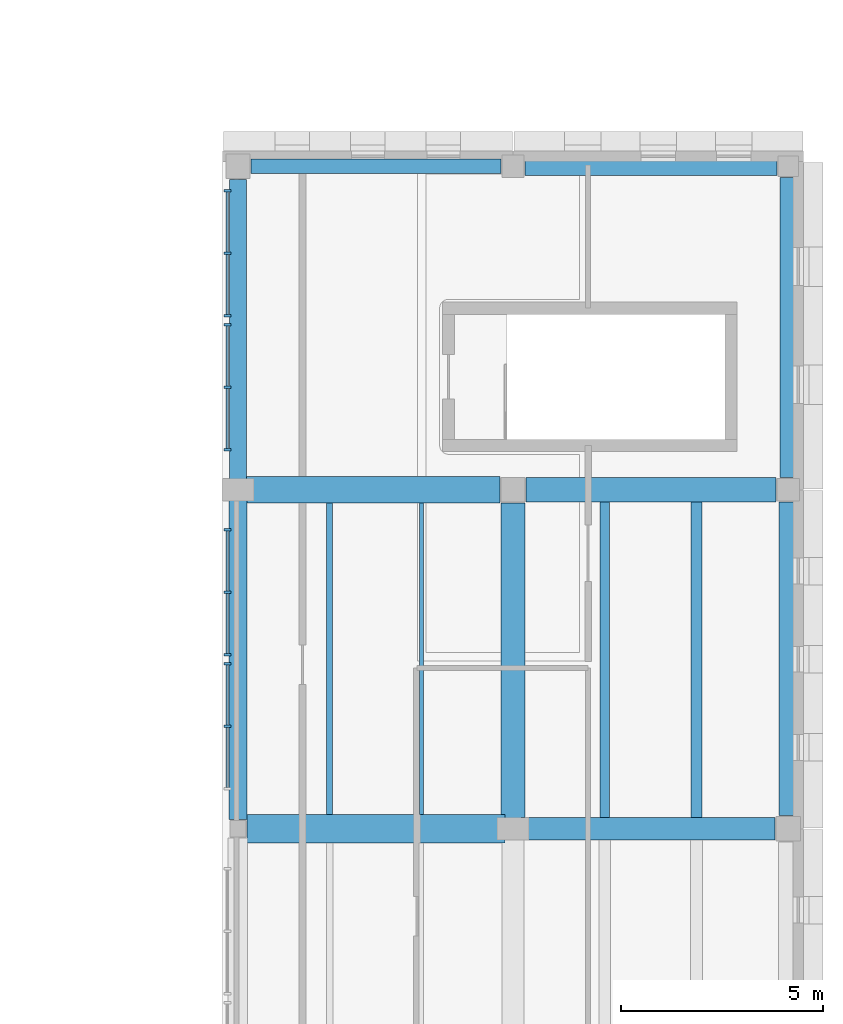
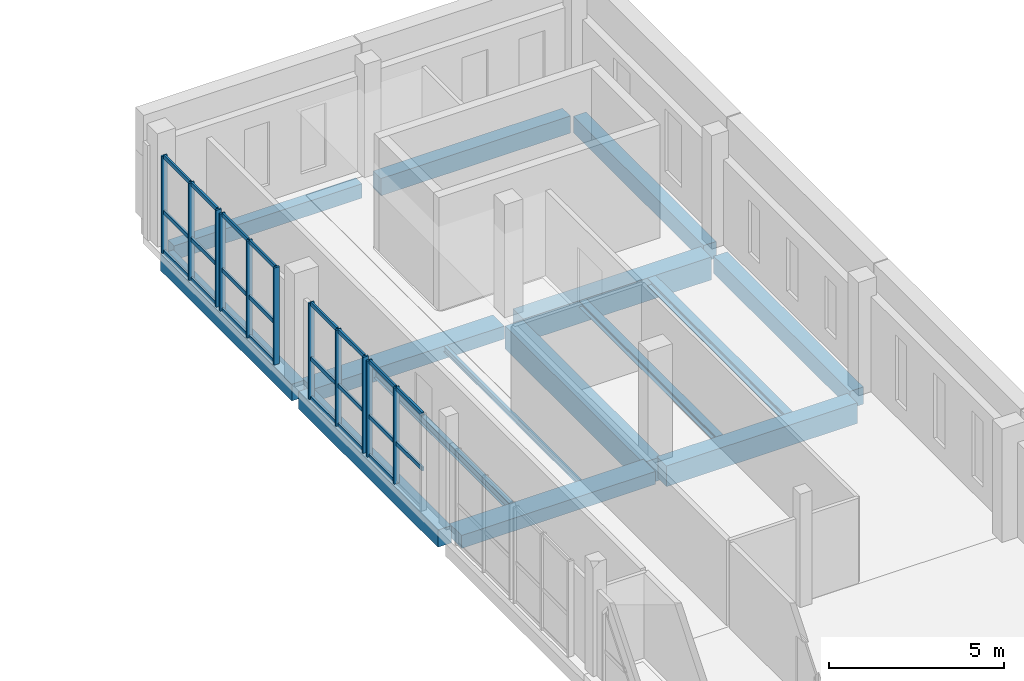
# One storey, part 26 of 56: 34 members, 15 beams, 4 elements without a shape of their own.
"""IFC4 building model written with IfcOpenShell, lengths in metres."""

from ifc_helpers import new_model, si_unit, direction, frame, origin, origin_2d, place, context, subcontext, project, spatial, rectangle, i_section, extrude, material, layer, layer_set, material_profile, profile_set, type_object, element, aggregate, save


model = new_model("IFC4")

# Units and contexts
model_context = context("Model", 3, precision=1e-05, world=origin(), true_north=direction((0.0, 1.0)))
body_context = subcontext(model_context, "Body", "Model", "MODEL_VIEW")
ifc_project = project(units=[si_unit("LENGTHUNIT", "METRE"), si_unit("AREAUNIT", "SQUARE_METRE"), si_unit("VOLUMEUNIT", "CUBIC_METRE"), si_unit("PLANEANGLEUNIT", "RADIAN"), si_unit("MASSUNIT", "GRAM", prefix="KILO")], contexts=[model_context])

# Site, building, storey
site_placement = place(None, origin())
site = spatial("IfcSite", under=ifc_project, at=site_placement, CompositionType="ELEMENT")
building_placement = place(site_placement, origin())
building = spatial("IfcBuilding", under=site, at=building_placement, Name="Vardoun Plaza Health Centre", CompositionType="ELEMENT")
storey_placement = place(building_placement, frame((0.0, 0.0, 8.699951171875)))
storey = spatial("IfcBuildingStorey", under=building, at=storey_placement, Name="L02", CompositionType="ELEMENT", Elevation=8.699951171875)

# Beams
ifc_material_1 = material(Name="Concrete C35/45", Category="concrete")
ifc_material_profile_1 = material_profile(ifc_material_1, rectangle(XDim=0.35009765625, YDim=0.5, at=origin_2d()), Name="RC-BM 350x500")
ifc_profile_set_1 = profile_set([ifc_material_profile_1], Name="Concrete C35/45")
beam_type_1 = type_object("IfcBeamType", Name="B-08", PredefinedType="SPANDREL", material=ifc_profile_set_1)
beam_1_placement = place(storey_placement, frame((151.60498046875, 86.320068359375, -0.5), z_axis=(1.0, 0.0, 0.0), x_axis=(0.0, 1.0, 0.0)))
element("IfcBeam", 1, at=beam_1_placement, inside=storey, type_object=beam_type_1, Name="V6 L02 Beam B-V6-L02-X07", PredefinedType="SPANDREL", context=body_context, shape_type="SweptSolid", body=[
    extrude(rectangle(XDim=0.35009765625, YDim=0.5, at=origin_2d()), origin(), (0.0, 0.0, 1.0), 6.195068359375),
])
ifc_material_2 = material(Name="Concrete C35/45", Category="concrete")
ifc_material_profile_2 = material_profile(ifc_material_2, rectangle(XDim=0.419921875, YDim=0.580078125, at=origin_2d()), Name="RC-BM 420x580")
ifc_profile_set_2 = profile_set([ifc_material_profile_2], Name="Concrete C35/45")
beam_type_2 = type_object("IfcBeamType", Name="B-10", PredefinedType="SPANDREL", material=ifc_profile_set_2)
beam_2_placement = place(storey_placement, frame((151.280029296875, 78.5, -0.5400390625), z_axis=(0.0, 1.0, 0.0), x_axis=(-1.0, 0.0, 0.0)))
element("IfcBeam", 2, at=beam_2_placement, inside=storey, type_object=beam_type_2, Name="V6 L02 Beam B-V6-L02-Y20", PredefinedType="SPANDREL", context=body_context, shape_type="SweptSolid", body=[
    extrude(rectangle(XDim=0.419921875, YDim=0.580078125, at=origin_2d()), origin(), (0.0, 0.0, 1.0), 7.4951171875),
])
beam_3_placement = place(storey_placement, frame((164.919921875, 78.60009765625, -0.5400390625), z_axis=(0.0, 1.0, 0.0), x_axis=(-1.0, 0.0, 0.0)))
element("IfcBeam", 3, at=beam_3_placement, inside=storey, type_object=beam_type_2, Name="V6 L02 Beam B-V6-L02-Y30", PredefinedType="SPANDREL", context=body_context, shape_type="SweptSolid", body=[
    extrude(rectangle(XDim=0.419921875, YDim=0.580078125, at=origin_2d()), origin(), (0.0, 0.0, 1.0), 7.44482421875),
])
ifc_material_3 = material(Name="Concrete C35/45", Category="concrete")
ifc_material_profile_3 = material_profile(ifc_material_3, rectangle(XDim=0.449951171875, YDim=0.60009765625, at=origin_2d()), Name="RC-BM 450x600")
ifc_profile_set_3 = profile_set([ifc_material_profile_3], Name="Concrete C35/45")
beam_type_3 = type_object("IfcBeamType", Name="B-11", PredefinedType="SPANDREL", material=ifc_profile_set_3)
beam_4_placement = place(storey_placement, frame((158.39990234375, 86.320068359375, -0.550048828125), z_axis=(1.0, 0.0, 0.0), x_axis=(0.0, 1.0, 0.0)))
element("IfcBeam", 4, at=beam_4_placement, inside=storey, type_object=beam_type_3, Name="V6 L02 Beam B-V6-L02-X14", PredefinedType="SPANDREL", context=body_context, shape_type="SweptSolid", body=[
    extrude(rectangle(XDim=0.449951171875, YDim=0.60009765625, at=origin_2d()), origin(), (0.0, 0.0, 1.0), 6.2451171875),
])
beam_5_placement = place(storey_placement, frame((151.280029296875, 70.125, -0.550048828125), z_axis=(0.0, 1.0, 0.0), x_axis=(-1.0, 0.0, 0.0)))
element("IfcBeam", 5, at=beam_5_placement, inside=storey, type_object=beam_type_3, Name="V6 L02 Beam B-V6-L02-Y19", PredefinedType="SPANDREL", context=body_context, shape_type="SweptSolid", body=[
    extrude(rectangle(XDim=0.449951171875, YDim=0.60009765625, at=origin_2d()), origin(), (0.0, 0.0, 1.0), 7.97509765625),
])
beam_6_placement = place(storey_placement, frame((164.919921875, 70.22509765625, -0.550048828125), z_axis=(0.0, 1.0, 0.0), x_axis=(-1.0, 0.0, 0.0)))
element("IfcBeam", 6, at=beam_6_placement, inside=storey, type_object=beam_type_3, Name="V6 L02 Beam B-V6-L02-Y29", PredefinedType="SPANDREL", context=body_context, shape_type="SweptSolid", body=[
    extrude(rectangle(XDim=0.449951171875, YDim=0.60009765625, at=origin_2d()), origin(), (0.0, 0.0, 1.0), 7.77490234375),
])
ifc_material_4 = material(Name="Concrete C40/50", Category="concrete")
ifc_material_profile_4 = material_profile(ifc_material_4, rectangle(XDim=0.550048828125, YDim=0.719970703125, at=origin_2d()), Name="RC-BM 550x720")
ifc_profile_set_4 = profile_set([ifc_material_profile_4], Name="Concrete C40/50")
beam_type_4 = type_object("IfcBeamType", Name="B-14", PredefinedType="BEAM", material=ifc_profile_set_4)
beam_7_placement = place(storey_placement, frame((158.300048828125, 69.900146484375, -0.60986328125), z_axis=(1.0, 0.0, 0.0), x_axis=(0.0, 1.0, 0.0)))
element("IfcBeam", 7, at=beam_7_placement, inside=storey, type_object=beam_type_4, Name="V6 L02 Beam B-V6-L02-X12", PredefinedType="BEAM", context=body_context, shape_type="SweptSolid", body=[
    extrude(rectangle(XDim=0.550048828125, YDim=0.719970703125, at=origin_2d()), origin(), (0.0, 0.0, 1.0), 6.294921875),
])
ifc_material_5 = material(Name="Concrete C40/50", Category="concrete")
ifc_material_profile_5 = material_profile(ifc_material_5, rectangle(XDim=0.60009765625, YDim=0.800048828125, at=origin_2d()), Name="RC-BM 600x800")
ifc_profile_set_5 = profile_set([ifc_material_profile_5], Name="Concrete C40/50")
beam_type_5 = type_object("IfcBeamType", Name="B-15", PredefinedType="JOIST", material=ifc_profile_set_5)
beam_8_placement = place(storey_placement, frame((158.425048828125, 78.300048828125, -0.64990234375), z_axis=(1.0, 0.0, 0.0), x_axis=(0.0, 1.0, 0.0)))
element("IfcBeam", 8, at=beam_8_placement, inside=storey, type_object=beam_type_5, Name="V6 L02 Beam B-V6-L02-X13", PredefinedType="JOIST", context=body_context, shape_type="SweptSolid", body=[
    extrude(rectangle(XDim=0.60009765625, YDim=0.800048828125, at=origin_2d()), origin(), (0.0, 0.0, 1.0), 6.195068359375),
])
beam_9_placement = place(storey_placement, frame((158.10009765625, 70.10009765625, -0.64990234375), z_axis=(0.0, 1.0, 0.0), x_axis=(-1.0, 0.0, 0.0)))
element("IfcBeam", 9, at=beam_9_placement, inside=storey, type_object=beam_type_5, Name="V6 L02 Beam B-V6-L02-Y24", PredefinedType="JOIST", context=body_context, shape_type="SweptSolid", body=[
    extrude(rectangle(XDim=0.60009765625, YDim=0.800048828125, at=origin_2d()), origin(), (0.0, 0.0, 1.0), 7.875),
])
ifc_material_6 = material(Name="Concrete C35/45", Category="concrete")
ifc_material_profile_6 = material_profile(ifc_material_6, rectangle(XDim=0.64990234375, YDim=0.449951171875, at=origin_2d()), Name="RC-BM 650x450")
ifc_profile_set_6 = profile_set([ifc_material_profile_6], Name="Concrete C35/45")
beam_type_6 = type_object("IfcBeamType", Name="B-05", PredefinedType="BEAM", material=ifc_profile_set_6)
beam_10_placement = place(storey_placement, frame((151.47998046875, 78.300048828125, -0.474853515625), z_axis=(1.0, 0.0, 0.0), x_axis=(0.0, 1.0, 0.0)))
element("IfcBeam", 10, at=beam_10_placement, inside=storey, type_object=beam_type_6, Name="V6 L02 Beam B-V6-L02-X06", PredefinedType="BEAM", context=body_context, shape_type="SweptSolid", body=[
    extrude(rectangle(XDim=0.64990234375, YDim=0.449951171875, at=origin_2d()), origin(), (0.0, 0.0, 1.0), 6.294921875),
])
ifc_material_7 = material(Name="Concrete C35/45", Category="concrete")
ifc_material_profile_7 = material_profile(ifc_material_7, rectangle(XDim=0.699951171875, YDim=0.449951171875, at=origin_2d()), Name="RC-BM 700x450")
ifc_profile_set_7 = profile_set([ifc_material_profile_7], Name="Concrete C35/45")
beam_type_7 = type_object("IfcBeamType", Name="B-06", PredefinedType="BEAM", material=ifc_profile_set_7)
beam_11_placement = place(storey_placement, frame((151.5048828125, 69.900146484375, -0.474853515625), z_axis=(1.0, 0.0, 0.0), x_axis=(0.0, 1.0, 0.0)))
element("IfcBeam", 11, at=beam_11_placement, inside=storey, type_object=beam_type_7, Name="V6 L02 Beam B-V6-L02-X05", PredefinedType="BEAM", context=body_context, shape_type="SweptSolid", body=[
    extrude(rectangle(XDim=0.699951171875, YDim=0.449951171875, at=origin_2d()), origin(), (0.0, 0.0, 1.0), 6.39501953125),
])
ifc_material_8 = material(Name="Steel S355J2", Category="steel")
ifc_material_profile_8 = material_profile(ifc_material_8, i_section(OverallWidth=0.239990234375, OverallDepth=0.22998046875, WebThickness=0.007568359375, FlangeThickness=0.011962890625, FilletRadius=0.02099609375, at=origin_2d()), Name="HEA 240")
ifc_profile_set_8 = profile_set([ifc_material_profile_8], Name="Steel S355J2")
beam_type_8 = type_object("IfcBeamType", Name="SB-07", PredefinedType="BEAM", material=ifc_profile_set_8)
beam_12_placement = place(storey_placement, frame((160.373046875, 70.175048828125, -0.364990234375), z_axis=(0.0, 1.0, 0.0), x_axis=(-1.0, 0.0, 0.0)))
element("IfcBeam", 12, at=beam_12_placement, inside=storey, type_object=beam_type_8, Name="V6 L02 Secondary Floor Beam SJ-V6-L02-12", PredefinedType="BEAM", context=body_context, shape_type="SweptSolid", body=[
    extrude(i_section(OverallWidth=0.239990234375, OverallDepth=0.22998046875, WebThickness=0.007568359375, FlangeThickness=0.011962890625, FilletRadius=0.02099609375, at=origin_2d()), origin(), (0.0, 0.0, 1.0), 7.824951171875),
])
ifc_material_9 = material(Name="Steel S355J2", Category="steel")
ifc_material_profile_9 = material_profile(ifc_material_9, i_section(OverallWidth=0.280029296875, OverallDepth=0.280029296875, WebThickness=0.010498046875, FlangeThickness=0.01806640625, FilletRadius=0.02392578125, at=origin_2d()), Name="HEB 280")
ifc_profile_set_9 = profile_set([ifc_material_profile_9], Name="Steel S355J2")
beam_type_9 = type_object("IfcBeamType", Name="SB-02", PredefinedType="BEAM", material=ifc_profile_set_9)
beam_13_placement = place(storey_placement, frame((162.64697265625, 70.175048828125, -0.389892578125), z_axis=(0.0, 1.0, 0.0), x_axis=(-1.0, 0.0, 0.0)))
element("IfcBeam", 13, at=beam_13_placement, inside=storey, type_object=beam_type_9, Name="V6 L02 Secondary Floor Beam SJ-V6-L02-16", PredefinedType="BEAM", context=body_context, shape_type="SweptSolid", body=[
    extrude(i_section(OverallWidth=0.280029296875, OverallDepth=0.280029296875, WebThickness=0.010498046875, FlangeThickness=0.01806640625, FilletRadius=0.02392578125, at=origin_2d()), origin(), (0.0, 0.0, 1.0), 7.824951171875),
])
ifc_material_10 = material(Name="Steel S355J2", Category="steel")
ifc_material_profile_10 = material_profile(ifc_material_10, i_section(OverallWidth=0.10009765625, OverallDepth=0.199951171875, WebThickness=0.005615234375, FlangeThickness=0.008544921875, FilletRadius=0.011962890625, at=origin_2d()), Name="IPE 200")
ifc_profile_set_10 = profile_set([ifc_material_profile_10], Name="Steel S355J2")
beam_type_10 = type_object("IfcBeamType", Name="SB-19", PredefinedType="SPANDREL", material=ifc_profile_set_10)
beam_14_placement = place(storey_placement, frame((155.826904296875, 70.25, -0.349853515625), z_axis=(0.0, 1.0, 0.0), x_axis=(-1.0, 0.0, 0.0)))
element("IfcBeam", 14, at=beam_14_placement, inside=storey, type_object=beam_type_10, Name="V6 L02 Secondary Floor Beam SJ-V6-L02-08", PredefinedType="SPANDREL", context=body_context, shape_type="SweptSolid", body=[
    extrude(i_section(OverallWidth=0.10009765625, OverallDepth=0.199951171875, WebThickness=0.005615234375, FlangeThickness=0.008544921875, FilletRadius=0.011962890625, at=origin_2d()), origin(), (0.0, 0.0, 1.0), 7.72509765625),
])
ifc_material_11 = material(Name="Steel S355J2", Category="steel")
ifc_material_profile_11 = material_profile(ifc_material_11, i_section(OverallWidth=0.14990234375, OverallDepth=0.300048828125, WebThickness=0.007080078125, FlangeThickness=0.0107421875, FilletRadius=0.014892578125, at=origin_2d()), Name="IPE 300")
ifc_profile_set_11 = profile_set([ifc_material_profile_11], Name="Steel S355J2")
beam_type_11 = type_object("IfcBeamType", Name="SB-15", PredefinedType="JOIST", material=ifc_profile_set_11)
beam_15_placement = place(storey_placement, frame((153.552978515625, 70.25, -0.39990234375), z_axis=(0.0, 1.0, 0.0), x_axis=(-1.0, 0.0, 0.0)))
element("IfcBeam", 15, at=beam_15_placement, inside=storey, type_object=beam_type_11, Name="V6 L02 Secondary Floor Beam SJ-V6-L02-04", PredefinedType="JOIST", context=body_context, shape_type="SweptSolid", body=[
    extrude(i_section(OverallWidth=0.14990234375, OverallDepth=0.300048828125, WebThickness=0.007080078125, FlangeThickness=0.0107421875, FilletRadius=0.014892578125, at=origin_2d()), origin(), (0.0, 0.0, 1.0), 7.72509765625),
])

# Curtain wall, members
ifc_material_12 = material(Name="Aluminium Alloy EN AW-6063-T6 and Low-E Glass", Category="aluminium")
ifc_layer = layer(ifc_material_12, 0.179931640625)
ifc_layer_set = layer_set([ifc_layer], Name="Aluminium Alloy EN AW-6063-T6 and Low-E Glass")
curtain_wall_type = type_object("IfcCurtainWallType", Name="CW-01", PredefinedType="USERDEFINED", material=ifc_layer_set)
curtain_wall_1_placement = place(storey_placement, origin())
curtain_wall_1 = element("IfcCurtainWall", 16, at=curtain_wall_1_placement, inside=storey, type_object=curtain_wall_type, Name="Curtain Wall CW-V6-223", ObjectType="CONCOURSE_CURTAIN_WALL", PredefinedType="USERDEFINED")
ifc_material_13 = material(Name="Aluminium Alloy EN AW-6063-T6", Category="aluminium")
ifc_material_profile_12 = material_profile(ifc_material_13, rectangle(XDim=0.179931640625, YDim=0.06494140625, at=origin_2d()), Name="CWM 65x180")
ifc_profile_set_12 = profile_set([ifc_material_profile_12], Name="Aluminium Alloy EN AW-6063-T6")
member_type_1 = type_object("IfcMemberType", Name="CW-M2", PredefinedType="MULLION", material=ifc_profile_set_12)
member_1_placement = place(storey_placement, frame((151.02001953125, 72.440185546875, 0.0), z_axis=(0.0, 0.0, 1.0), x_axis=(-1.0, 0.0, 0.0)))
member_1 = element("IfcMember", 17, at=member_1_placement, type_object=member_type_1, Name="CW-V6-223 mullion 2", PredefinedType="MULLION", context=body_context, shape_type="SweptSolid", body=[
    extrude(rectangle(XDim=0.179931640625, YDim=0.06494140625, at=origin_2d()), origin(), (0.0, 0.0, 1.0), 3.35498046875),
])
member_2_placement = place(storey_placement, frame((151.02001953125, 73.987548828125, 0.0), z_axis=(0.0, 0.0, 1.0), x_axis=(-1.0, 0.0, 0.0)))
member_2 = element("IfcMember", 18, at=member_2_placement, type_object=member_type_1, Name="CW-V6-223 mullion 3", PredefinedType="MULLION", context=body_context, shape_type="SweptSolid", body=[
    extrude(rectangle(XDim=0.179931640625, YDim=0.06494140625, at=origin_2d()), origin(), (0.0, 0.0, 1.0), 3.35498046875),
])

curtain_wall_2_placement = place(storey_placement, origin())
curtain_wall_2 = element("IfcCurtainWall", 19, at=curtain_wall_2_placement, inside=storey, type_object=curtain_wall_type, Name="Curtain Wall CW-V6-224", ObjectType="CONCOURSE_CURTAIN_WALL", PredefinedType="USERDEFINED")
member_3_placement = place(storey_placement, frame((151.02001953125, 74.212646484375, 0.0), z_axis=(0.0, 0.0, 1.0), x_axis=(-1.0, 0.0, 0.0)))
member_3 = element("IfcMember", 20, at=member_3_placement, type_object=member_type_1, Name="CW-V6-224 mullion 1", PredefinedType="MULLION", context=body_context, shape_type="SweptSolid", body=[
    extrude(rectangle(XDim=0.179931640625, YDim=0.06494140625, at=origin_2d()), origin(), (0.0, 0.0, 1.0), 3.35498046875),
])
member_4_placement = place(storey_placement, frame((151.02001953125, 75.760009765625, 0.0), z_axis=(0.0, 0.0, 1.0), x_axis=(-1.0, 0.0, 0.0)))
member_4 = element("IfcMember", 21, at=member_4_placement, type_object=member_type_1, Name="CW-V6-224 mullion 2", PredefinedType="MULLION", context=body_context, shape_type="SweptSolid", body=[
    extrude(rectangle(XDim=0.179931640625, YDim=0.06494140625, at=origin_2d()), origin(), (0.0, 0.0, 1.0), 3.35498046875),
])
member_5_placement = place(storey_placement, frame((151.02001953125, 77.3076171875, 0.0), z_axis=(0.0, 0.0, 1.0), x_axis=(-1.0, 0.0, 0.0)))
member_5 = element("IfcMember", 22, at=member_5_placement, type_object=member_type_1, Name="CW-V6-224 mullion 3", PredefinedType="MULLION", context=body_context, shape_type="SweptSolid", body=[
    extrude(rectangle(XDim=0.179931640625, YDim=0.06494140625, at=origin_2d()), origin(), (0.0, 0.0, 1.0), 3.35498046875),
])

curtain_wall_3_placement = place(storey_placement, origin())
curtain_wall_3 = element("IfcCurtainWall", 23, at=curtain_wall_3_placement, inside=storey, type_object=curtain_wall_type, Name="Curtain Wall CW-V6-225", ObjectType="CONCOURSE_CURTAIN_WALL", PredefinedType="USERDEFINED")
member_6_placement = place(storey_placement, frame((151.02001953125, 79.29248046875, 0.0), z_axis=(0.0, 0.0, 1.0), x_axis=(-1.0, 0.0, 0.0)))
member_6 = element("IfcMember", 24, at=member_6_placement, type_object=member_type_1, Name="CW-V6-225 mullion 1", PredefinedType="MULLION", context=body_context, shape_type="SweptSolid", body=[
    extrude(rectangle(XDim=0.179931640625, YDim=0.06494140625, at=origin_2d()), origin(), (0.0, 0.0, 1.0), 3.385009765625),
])
member_7_placement = place(storey_placement, frame((151.02001953125, 80.840087890625, 0.0), z_axis=(0.0, 0.0, 1.0), x_axis=(-1.0, 0.0, 0.0)))
member_7 = element("IfcMember", 25, at=member_7_placement, type_object=member_type_1, Name="CW-V6-225 mullion 2", PredefinedType="MULLION", context=body_context, shape_type="SweptSolid", body=[
    extrude(rectangle(XDim=0.179931640625, YDim=0.06494140625, at=origin_2d()), origin(), (0.0, 0.0, 1.0), 3.385009765625),
])
member_8_placement = place(storey_placement, frame((151.02001953125, 82.387451171875, 0.0), z_axis=(0.0, 0.0, 1.0), x_axis=(-1.0, 0.0, 0.0)))
member_8 = element("IfcMember", 26, at=member_8_placement, type_object=member_type_1, Name="CW-V6-225 mullion 3", PredefinedType="MULLION", context=body_context, shape_type="SweptSolid", body=[
    extrude(rectangle(XDim=0.179931640625, YDim=0.06494140625, at=origin_2d()), origin(), (0.0, 0.0, 1.0), 3.385009765625),
])

curtain_wall_4_placement = place(storey_placement, origin())
curtain_wall_4 = element("IfcCurtainWall", 27, at=curtain_wall_4_placement, inside=storey, type_object=curtain_wall_type, Name="Curtain Wall CW-V6-226", ObjectType="CONCOURSE_CURTAIN_WALL", PredefinedType="USERDEFINED")
member_9_placement = place(storey_placement, frame((151.02001953125, 82.612548828125, 0.0), z_axis=(0.0, 0.0, 1.0), x_axis=(-1.0, 0.0, 0.0)))
member_9 = element("IfcMember", 28, at=member_9_placement, type_object=member_type_1, Name="CW-V6-226 mullion 1", PredefinedType="MULLION", context=body_context, shape_type="SweptSolid", body=[
    extrude(rectangle(XDim=0.179931640625, YDim=0.06494140625, at=origin_2d()), origin(), (0.0, 0.0, 1.0), 3.385009765625),
])
member_10_placement = place(storey_placement, frame((151.02001953125, 84.159912109375, 0.0), z_axis=(0.0, 0.0, 1.0), x_axis=(-1.0, 0.0, 0.0)))
member_10 = element("IfcMember", 29, at=member_10_placement, type_object=member_type_1, Name="CW-V6-226 mullion 2", PredefinedType="MULLION", context=body_context, shape_type="SweptSolid", body=[
    extrude(rectangle(XDim=0.179931640625, YDim=0.06494140625, at=origin_2d()), origin(), (0.0, 0.0, 1.0), 3.385009765625),
])
member_11_placement = place(storey_placement, frame((151.02001953125, 85.70751953125, 0.0), z_axis=(0.0, 0.0, 1.0), x_axis=(-1.0, 0.0, 0.0)))
member_11 = element("IfcMember", 30, at=member_11_placement, type_object=member_type_1, Name="CW-V6-226 mullion 3", PredefinedType="MULLION", context=body_context, shape_type="SweptSolid", body=[
    extrude(rectangle(XDim=0.179931640625, YDim=0.06494140625, at=origin_2d()), origin(), (0.0, 0.0, 1.0), 3.385009765625),
])

# Member
ifc_material_14 = material(Name="Aluminium Alloy EN AW-6063-T6", Category="aluminium")
ifc_material_profile_13 = material_profile(ifc_material_14, rectangle(XDim=0.06494140625, YDim=0.139892578125, at=origin_2d()), Name="CWT 65x140")
ifc_profile_set_13 = profile_set([ifc_material_profile_13], Name="Aluminium Alloy EN AW-6063-T6")
member_type_2 = type_object("IfcMemberType", Name="CW-T2", PredefinedType="USERDEFINED", material=ifc_profile_set_13)
member_12_placement = place(storey_placement, frame((151.02001953125, 70.925048828125, 1.4091796875), z_axis=(0.0, 1.0, 0.0), x_axis=(-1.0, 0.0, 0.0)))
member_12 = element("IfcMember", 31, at=member_12_placement, type_object=member_type_2, Name="CW-V6-223 transom 1.2", ObjectType="TRANSOM", PredefinedType="USERDEFINED", context=body_context, shape_type="SweptSolid", body=[
    extrude(rectangle(XDim=0.06494140625, YDim=0.139892578125, at=origin_2d()), origin(), (0.0, 0.0, 1.0), 1.482421875),
])

member_13_placement = place(storey_placement, frame((151.02001953125, 70.925048828125, 3.322509765625), z_axis=(0.0, 1.0, 0.0), x_axis=(-1.0, 0.0, 0.0)))
member_13 = element("IfcMember", 32, at=member_13_placement, type_object=member_type_2, Name="CW-V6-223 transom 1.3", ObjectType="TRANSOM", PredefinedType="USERDEFINED", context=body_context, shape_type="SweptSolid", body=[
    extrude(rectangle(XDim=0.06494140625, YDim=0.139892578125, at=origin_2d()), origin(), (0.0, 0.0, 1.0), 1.482421875),
])

member_14_placement = place(storey_placement, frame((151.02001953125, 72.472412109375, 0.032470703125), z_axis=(0.0, 1.0, 0.0), x_axis=(-1.0, 0.0, 0.0)))
member_14 = element("IfcMember", 33, at=member_14_placement, type_object=member_type_2, Name="CW-V6-223 transom 2.1", ObjectType="TRANSOM", PredefinedType="USERDEFINED", context=body_context, shape_type="SweptSolid", body=[
    extrude(rectangle(XDim=0.06494140625, YDim=0.139892578125, at=origin_2d()), origin(), (0.0, 0.0, 1.0), 1.482666015625),
])

member_15_placement = place(storey_placement, frame((151.02001953125, 72.472412109375, 1.4091796875), z_axis=(0.0, 1.0, 0.0), x_axis=(-1.0, 0.0, 0.0)))
member_15 = element("IfcMember", 34, at=member_15_placement, type_object=member_type_2, Name="CW-V6-223 transom 2.2", ObjectType="TRANSOM", PredefinedType="USERDEFINED", context=body_context, shape_type="SweptSolid", body=[
    extrude(rectangle(XDim=0.06494140625, YDim=0.139892578125, at=origin_2d()), origin(), (0.0, 0.0, 1.0), 1.482666015625),
])

member_16_placement = place(storey_placement, frame((151.02001953125, 72.472412109375, 3.322509765625), z_axis=(0.0, 1.0, 0.0), x_axis=(-1.0, 0.0, 0.0)))
member_16 = element("IfcMember", 35, at=member_16_placement, type_object=member_type_2, Name="CW-V6-223 transom 2.3", ObjectType="TRANSOM", PredefinedType="USERDEFINED", context=body_context, shape_type="SweptSolid", body=[
    extrude(rectangle(XDim=0.06494140625, YDim=0.139892578125, at=origin_2d()), origin(), (0.0, 0.0, 1.0), 1.482666015625),
])

aggregate(curtain_wall_1, [member_1, member_2, member_12, member_13, member_14, member_15, member_16])

member_17_placement = place(storey_placement, frame((151.02001953125, 74.2451171875, 0.032470703125), z_axis=(0.0, 1.0, 0.0), x_axis=(-1.0, 0.0, 0.0)))
member_17 = element("IfcMember", 36, at=member_17_placement, type_object=member_type_2, Name="CW-V6-224 transom 1.1", ObjectType="TRANSOM", PredefinedType="USERDEFINED", context=body_context, shape_type="SweptSolid", body=[
    extrude(rectangle(XDim=0.06494140625, YDim=0.139892578125, at=origin_2d()), origin(), (0.0, 0.0, 1.0), 1.482421875),
])

member_18_placement = place(storey_placement, frame((151.02001953125, 74.2451171875, 1.4091796875), z_axis=(0.0, 1.0, 0.0), x_axis=(-1.0, 0.0, 0.0)))
member_18 = element("IfcMember", 37, at=member_18_placement, type_object=member_type_2, Name="CW-V6-224 transom 1.2", ObjectType="TRANSOM", PredefinedType="USERDEFINED", context=body_context, shape_type="SweptSolid", body=[
    extrude(rectangle(XDim=0.06494140625, YDim=0.139892578125, at=origin_2d()), origin(), (0.0, 0.0, 1.0), 1.482421875),
])

member_19_placement = place(storey_placement, frame((151.02001953125, 74.2451171875, 3.322509765625), z_axis=(0.0, 1.0, 0.0), x_axis=(-1.0, 0.0, 0.0)))
member_19 = element("IfcMember", 38, at=member_19_placement, type_object=member_type_2, Name="CW-V6-224 transom 1.3", ObjectType="TRANSOM", PredefinedType="USERDEFINED", context=body_context, shape_type="SweptSolid", body=[
    extrude(rectangle(XDim=0.06494140625, YDim=0.139892578125, at=origin_2d()), origin(), (0.0, 0.0, 1.0), 1.482421875),
])

member_20_placement = place(storey_placement, frame((151.02001953125, 75.79248046875, 0.032470703125), z_axis=(0.0, 1.0, 0.0), x_axis=(-1.0, 0.0, 0.0)))
member_20 = element("IfcMember", 39, at=member_20_placement, type_object=member_type_2, Name="CW-V6-224 transom 2.1", ObjectType="TRANSOM", PredefinedType="USERDEFINED", context=body_context, shape_type="SweptSolid", body=[
    extrude(rectangle(XDim=0.06494140625, YDim=0.139892578125, at=origin_2d()), origin(), (0.0, 0.0, 1.0), 1.482666015625),
])

member_21_placement = place(storey_placement, frame((151.02001953125, 75.79248046875, 1.4091796875), z_axis=(0.0, 1.0, 0.0), x_axis=(-1.0, 0.0, 0.0)))
member_21 = element("IfcMember", 40, at=member_21_placement, type_object=member_type_2, Name="CW-V6-224 transom 2.2", ObjectType="TRANSOM", PredefinedType="USERDEFINED", context=body_context, shape_type="SweptSolid", body=[
    extrude(rectangle(XDim=0.06494140625, YDim=0.139892578125, at=origin_2d()), origin(), (0.0, 0.0, 1.0), 1.482666015625),
])

member_22_placement = place(storey_placement, frame((151.02001953125, 75.79248046875, 3.322509765625), z_axis=(0.0, 1.0, 0.0), x_axis=(-1.0, 0.0, 0.0)))
member_22 = element("IfcMember", 41, at=member_22_placement, type_object=member_type_2, Name="CW-V6-224 transom 2.3", ObjectType="TRANSOM", PredefinedType="USERDEFINED", context=body_context, shape_type="SweptSolid", body=[
    extrude(rectangle(XDim=0.06494140625, YDim=0.139892578125, at=origin_2d()), origin(), (0.0, 0.0, 1.0), 1.482666015625),
])

aggregate(curtain_wall_2, [member_3, member_4, member_5, member_17, member_18, member_19, member_20, member_21, member_22])

member_23_placement = place(storey_placement, frame((151.02001953125, 79.324951171875, 0.032470703125), z_axis=(0.0, 1.0, 0.0), x_axis=(-1.0, 0.0, 0.0)))
member_23 = element("IfcMember", 42, at=member_23_placement, type_object=member_type_2, Name="CW-V6-225 transom 1.1", ObjectType="TRANSOM", PredefinedType="USERDEFINED", context=body_context, shape_type="SweptSolid", body=[
    extrude(rectangle(XDim=0.06494140625, YDim=0.139892578125, at=origin_2d()), origin(), (0.0, 0.0, 1.0), 1.482666015625),
])

member_24_placement = place(storey_placement, frame((151.02001953125, 79.324951171875, 1.421630859375), z_axis=(0.0, 1.0, 0.0), x_axis=(-1.0, 0.0, 0.0)))
member_24 = element("IfcMember", 43, at=member_24_placement, type_object=member_type_2, Name="CW-V6-225 transom 1.2", ObjectType="TRANSOM", PredefinedType="USERDEFINED", context=body_context, shape_type="SweptSolid", body=[
    extrude(rectangle(XDim=0.06494140625, YDim=0.139892578125, at=origin_2d()), origin(), (0.0, 0.0, 1.0), 1.482666015625),
])

member_25_placement = place(storey_placement, frame((151.02001953125, 79.324951171875, 3.3525390625), z_axis=(0.0, 1.0, 0.0), x_axis=(-1.0, 0.0, 0.0)))
member_25 = element("IfcMember", 44, at=member_25_placement, type_object=member_type_2, Name="CW-V6-225 transom 1.3", ObjectType="TRANSOM", PredefinedType="USERDEFINED", context=body_context, shape_type="SweptSolid", body=[
    extrude(rectangle(XDim=0.06494140625, YDim=0.139892578125, at=origin_2d()), origin(), (0.0, 0.0, 1.0), 1.482666015625),
])

member_26_placement = place(storey_placement, frame((151.02001953125, 80.87255859375, 0.032470703125), z_axis=(0.0, 1.0, 0.0), x_axis=(-1.0, 0.0, 0.0)))
member_26 = element("IfcMember", 45, at=member_26_placement, type_object=member_type_2, Name="CW-V6-225 transom 2.1", ObjectType="TRANSOM", PredefinedType="USERDEFINED", context=body_context, shape_type="SweptSolid", body=[
    extrude(rectangle(XDim=0.06494140625, YDim=0.139892578125, at=origin_2d()), origin(), (0.0, 0.0, 1.0), 1.482421875),
])

member_27_placement = place(storey_placement, frame((151.02001953125, 80.87255859375, 1.421630859375), z_axis=(0.0, 1.0, 0.0), x_axis=(-1.0, 0.0, 0.0)))
member_27 = element("IfcMember", 46, at=member_27_placement, type_object=member_type_2, Name="CW-V6-225 transom 2.2", ObjectType="TRANSOM", PredefinedType="USERDEFINED", context=body_context, shape_type="SweptSolid", body=[
    extrude(rectangle(XDim=0.06494140625, YDim=0.139892578125, at=origin_2d()), origin(), (0.0, 0.0, 1.0), 1.482421875),
])

member_28_placement = place(storey_placement, frame((151.02001953125, 80.87255859375, 3.3525390625), z_axis=(0.0, 1.0, 0.0), x_axis=(-1.0, 0.0, 0.0)))
member_28 = element("IfcMember", 47, at=member_28_placement, type_object=member_type_2, Name="CW-V6-225 transom 2.3", ObjectType="TRANSOM", PredefinedType="USERDEFINED", context=body_context, shape_type="SweptSolid", body=[
    extrude(rectangle(XDim=0.06494140625, YDim=0.139892578125, at=origin_2d()), origin(), (0.0, 0.0, 1.0), 1.482421875),
])

aggregate(curtain_wall_3, [member_6, member_7, member_8, member_23, member_24, member_25, member_26, member_27, member_28])

member_29_placement = place(storey_placement, frame((151.02001953125, 82.64501953125, 0.032470703125), z_axis=(0.0, 1.0, 0.0), x_axis=(-1.0, 0.0, 0.0)))
member_29 = element("IfcMember", 48, at=member_29_placement, type_object=member_type_2, Name="CW-V6-226 transom 1.1", ObjectType="TRANSOM", PredefinedType="USERDEFINED", context=body_context, shape_type="SweptSolid", body=[
    extrude(rectangle(XDim=0.06494140625, YDim=0.139892578125, at=origin_2d()), origin(), (0.0, 0.0, 1.0), 1.482666015625),
])

member_30_placement = place(storey_placement, frame((151.02001953125, 82.64501953125, 1.421630859375), z_axis=(0.0, 1.0, 0.0), x_axis=(-1.0, 0.0, 0.0)))
member_30 = element("IfcMember", 49, at=member_30_placement, type_object=member_type_2, Name="CW-V6-226 transom 1.2", ObjectType="TRANSOM", PredefinedType="USERDEFINED", context=body_context, shape_type="SweptSolid", body=[
    extrude(rectangle(XDim=0.06494140625, YDim=0.139892578125, at=origin_2d()), origin(), (0.0, 0.0, 1.0), 1.482666015625),
])

member_31_placement = place(storey_placement, frame((151.02001953125, 82.64501953125, 3.3525390625), z_axis=(0.0, 1.0, 0.0), x_axis=(-1.0, 0.0, 0.0)))
member_31 = element("IfcMember", 50, at=member_31_placement, type_object=member_type_2, Name="CW-V6-226 transom 1.3", ObjectType="TRANSOM", PredefinedType="USERDEFINED", context=body_context, shape_type="SweptSolid", body=[
    extrude(rectangle(XDim=0.06494140625, YDim=0.139892578125, at=origin_2d()), origin(), (0.0, 0.0, 1.0), 1.482666015625),
])

member_32_placement = place(storey_placement, frame((151.02001953125, 84.1923828125, 0.032470703125), z_axis=(0.0, 1.0, 0.0), x_axis=(-1.0, 0.0, 0.0)))
member_32 = element("IfcMember", 51, at=member_32_placement, type_object=member_type_2, Name="CW-V6-226 transom 2.1", ObjectType="TRANSOM", PredefinedType="USERDEFINED", context=body_context, shape_type="SweptSolid", body=[
    extrude(rectangle(XDim=0.06494140625, YDim=0.139892578125, at=origin_2d()), origin(), (0.0, 0.0, 1.0), 1.482666015625),
])

member_33_placement = place(storey_placement, frame((151.02001953125, 84.1923828125, 1.421630859375), z_axis=(0.0, 1.0, 0.0), x_axis=(-1.0, 0.0, 0.0)))
member_33 = element("IfcMember", 52, at=member_33_placement, type_object=member_type_2, Name="CW-V6-226 transom 2.2", ObjectType="TRANSOM", PredefinedType="USERDEFINED", context=body_context, shape_type="SweptSolid", body=[
    extrude(rectangle(XDim=0.06494140625, YDim=0.139892578125, at=origin_2d()), origin(), (0.0, 0.0, 1.0), 1.482666015625),
])

member_34_placement = place(storey_placement, frame((151.02001953125, 84.1923828125, 3.3525390625), z_axis=(0.0, 1.0, 0.0), x_axis=(-1.0, 0.0, 0.0)))
member_34 = element("IfcMember", 53, at=member_34_placement, type_object=member_type_2, Name="CW-V6-226 transom 2.3", ObjectType="TRANSOM", PredefinedType="USERDEFINED", context=body_context, shape_type="SweptSolid", body=[
    extrude(rectangle(XDim=0.06494140625, YDim=0.139892578125, at=origin_2d()), origin(), (0.0, 0.0, 1.0), 1.482666015625),
])

aggregate(curtain_wall_4, [member_9, member_10, member_11, member_29, member_30, member_31, member_32, member_33, member_34])

save(model, "model.ifc")
